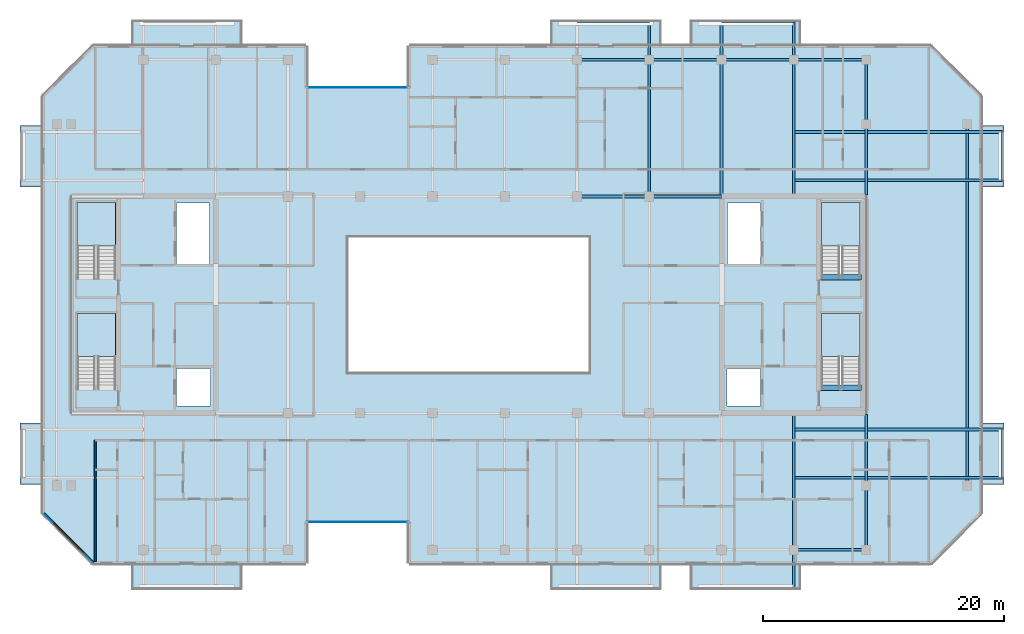
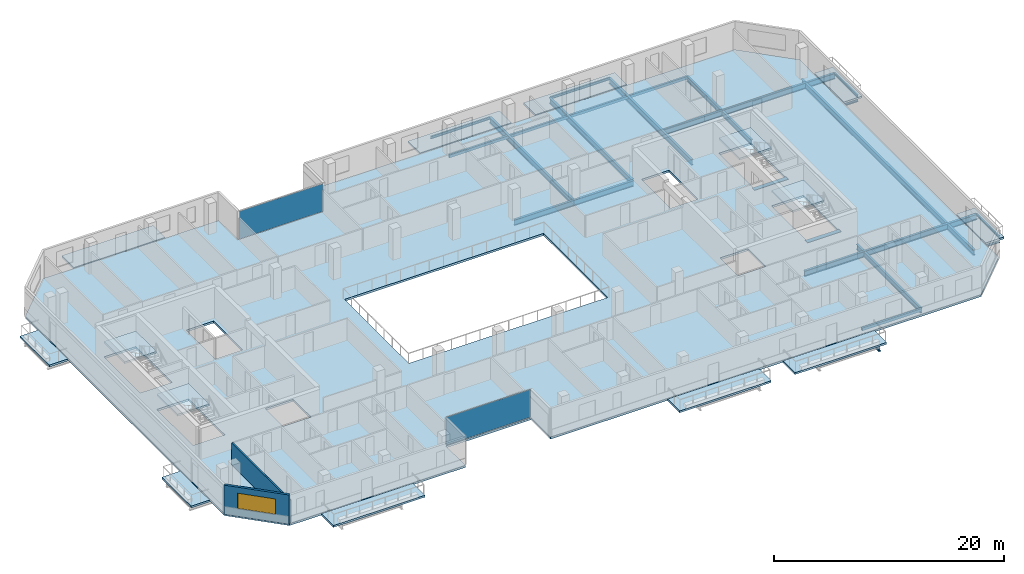
# One storey, part 9 of 20: 24 beams, 15 slabs, 2 plates, 2 walls, 1 window, 1 opening, 6 elements without a shape of their own.
"""IFC4 building model written with IfcOpenShell, lengths in metres."""

from ifc_helpers import new_model, si_unit, direction, frame, frame_2d, origin, origin_2d, place, context, subcontext, project, spatial, polyline, rectangle, hollow_rectangle, i_section, outline, extrude, material, layer, layer_set, material_profile, profile_set, type_object, element, fill, aggregate, save


model = new_model("IFC4")

# Units and contexts
model_context = context("Model", 3, precision=1e-05, world=origin(), true_north=direction((0.0, 1.0)))
body_context = subcontext(model_context, "Body", "Model", "MODEL_VIEW")
ifc_project = project(units=[si_unit("LENGTHUNIT", "METRE"), si_unit("AREAUNIT", "SQUARE_METRE"), si_unit("VOLUMEUNIT", "CUBIC_METRE"), si_unit("PLANEANGLEUNIT", "RADIAN"), si_unit("MASSUNIT", "GRAM", prefix="KILO")], contexts=[model_context])

# Site, building, storey
site_placement = place(None, origin())
site = spatial("IfcSite", under=ifc_project, at=site_placement, CompositionType="ELEMENT")
building_placement = place(site_placement, origin())
building = spatial("IfcBuilding", under=site, at=building_placement, Name="Tanjung Sevakor Pilgrim Tower", CompositionType="ELEMENT")
storey_placement = place(building_placement, frame((0.0, 0.0, 201.6298828125)))
storey = spatial("IfcBuildingStorey", under=building, at=storey_placement, Name="L56", CompositionType="ELEMENT", Elevation=201.6298828125)

# Beams
ifc_material_1 = material(Name="Steel S355J2", Category="steel")
ifc_material_profile_1 = material_profile(ifc_material_1, i_section(OverallWidth=0.22900390625, OverallDepth=0.6123046875, WebThickness=0.011962890625, FlangeThickness=0.01953125, FilletRadius=0.0126953125, at=origin_2d()))
ifc_profile_set_1 = profile_set([ifc_material_profile_1], Name="Steel S355J2")
beam_type_1 = type_object("IfcBeamType", Name="BM-B-G4-UB_610x229x125", PredefinedType="BEAM", material=ifc_profile_set_1)
beam_1_placement = place(storey_placement, frame((98.39990234375, 18.60009765625, -0.52587890625), z_axis=(0.0, 1.0, 0.0), x_axis=(-1.0, 0.0, 0.0)))
element("IfcBeam", 1, at=beam_1_placement, inside=storey, type_object=beam_type_1, Name="L56 Short-End Edge Girder E", PredefinedType="BEAM", context=body_context, shape_type="SweptSolid", body=[
    extrude(i_section(OverallWidth=0.22900390625, OverallDepth=0.6123046875, WebThickness=0.011962890625, FlangeThickness=0.01953125, FilletRadius=0.0126953125, at=origin_2d()), origin(), (0.0, 0.0, 1.0), 30.0),
])
for number, where, z_axis, x_axis, name in (
    (2, (84.0, 19.25, -0.52587890625), (1.0, 0.0, 0.0), (0.0, 1.0, 0.0), "L56 Balcony Overhanging Beam MAIN-E1-1"),
    (3, (84.0, 23.25, -0.52587890625), (1.0, 0.0, 0.0), (0.0, 1.0, 0.0), "L56 Balcony Overhanging Beam MAIN-E1-2"),
    (4, (84.0, 43.949951171875, -0.52587890625), (1.0, 0.0, 0.0), (0.0, 1.0, 0.0), "L56 Balcony Overhanging Beam MAIN-E2-1"),
    (5, (84.0, 47.949951171875, -0.52587890625), (1.0, 0.0, 0.0), (0.0, 1.0, 0.0), "L56 Balcony Overhanging Beam MAIN-E2-2"),
):
    element("IfcBeam", number, at=place(storey_placement, frame(where, z_axis=z_axis, x_axis=x_axis)), inside=storey, type_object=beam_type_1, Name=name, PredefinedType="BEAM", context=body_context, shape_type="SweptSolid", body=[
        extrude(i_section(OverallWidth=0.22900390625, OverallDepth=0.6123046875, WebThickness=0.011962890625, FlangeThickness=0.01953125, FilletRadius=0.0126953125, at=origin_2d()), origin(), (0.0, 0.0, 1.0), 17.330078125),
    ])
for number, where, z_axis, x_axis, name in (
    (6, (66.0, 42.60009765625, -0.52587890625), (1.0, 0.0, 0.0), (0.0, 1.0, 0.0), "L56 Primary Floor Girder MAIN Y426-07"),
    (7, (72.0, 42.60009765625, -0.52587890625), (1.0, 0.0, 0.0), (0.0, 1.0, 0.0), "L56 Primary Floor Girder MAIN Y426-08"),
):
    element("IfcBeam", number, at=place(storey_placement, frame(where, z_axis=z_axis, x_axis=x_axis)), inside=storey, type_object=beam_type_1, Name=name, PredefinedType="BEAM", context=body_context, shape_type="SweptSolid", body=[
        extrude(i_section(OverallWidth=0.22900390625, OverallDepth=0.6123046875, WebThickness=0.011962890625, FlangeThickness=0.01953125, FilletRadius=0.0126953125, at=origin_2d()), origin(), (0.0, 0.0, 1.0), 6.0),
    ])
beam_2_placement = place(storey_placement, frame((72.0, 42.60009765625, -0.52587890625), z_axis=(0.0, 1.0, 0.0), x_axis=(-1.0, 0.0, 0.0)))
element("IfcBeam", 8, at=beam_2_placement, inside=storey, type_object=beam_type_1, Name="L56 Balcony Cantilever Beam MAIN-N2-2", PredefinedType="BEAM", context=body_context, shape_type="SweptSolid", body=[
    extrude(i_section(OverallWidth=0.22900390625, OverallDepth=0.6123046875, WebThickness=0.011962890625, FlangeThickness=0.01953125, FilletRadius=0.0126953125, at=origin_2d()), origin(), (0.0, 0.0, 1.0), 14.52978515625),
])
beam_3_placement = place(storey_placement, frame((78.0, 42.714599609375, -0.52587890625), z_axis=(0.0, 1.0, 0.0), x_axis=(-1.0, 0.0, 0.0)))
element("IfcBeam", 9, at=beam_3_placement, inside=storey, type_object=beam_type_1, Name="L56 Balcony Cantilever Beam MAIN-N3-1", PredefinedType="BEAM", context=body_context, shape_type="SweptSolid", body=[
    extrude(i_section(OverallWidth=0.22900390625, OverallDepth=0.6123046875, WebThickness=0.011962890625, FlangeThickness=0.01953125, FilletRadius=0.0126953125, at=origin_2d()), origin(), (0.0, 0.0, 1.0), 14.415283203125),
])
beam_4_placement = place(storey_placement, frame((84.0, 24.485595703125, -0.52587890625), z_axis=(0.0, -1.0, 0.0), x_axis=(1.0, 0.0, 0.0)))
element("IfcBeam", 10, at=beam_4_placement, inside=storey, type_object=beam_type_1, Name="L56 Balcony Cantilever Beam MAIN-S3-2", PredefinedType="BEAM", context=body_context, shape_type="SweptSolid", body=[
    extrude(i_section(OverallWidth=0.22900390625, OverallDepth=0.6123046875, WebThickness=0.011962890625, FlangeThickness=0.01953125, FilletRadius=0.0126953125, at=origin_2d()), origin(), (0.0, 0.0, 1.0), 14.41552734375),
])
beam_5_placement = place(storey_placement, frame((84.0, 42.714599609375, -0.52587890625), z_axis=(0.0, 1.0, 0.0), x_axis=(-1.0, 0.0, 0.0)))
element("IfcBeam", 11, at=beam_5_placement, inside=storey, type_object=beam_type_1, Name="L56 Balcony Cantilever Beam MAIN-N3-2", PredefinedType="BEAM", context=body_context, shape_type="SweptSolid", body=[
    extrude(i_section(OverallWidth=0.22900390625, OverallDepth=0.6123046875, WebThickness=0.011962890625, FlangeThickness=0.01953125, FilletRadius=0.0126953125, at=origin_2d()), origin(), (0.0, 0.0, 1.0), 14.415283203125),
])
ifc_material_2 = material(Name="Steel S355J2", Category="steel")
ifc_material_profile_2 = material_profile(ifc_material_2, i_section(OverallWidth=0.2119140625, OverallDepth=0.54443359375, WebThickness=0.0126953125, FlangeThickness=0.021240234375, FilletRadius=0.0126953125, at=origin_2d()))
ifc_profile_set_2 = profile_set([ifc_material_profile_2], Name="Steel S355J2")
beam_type_2 = type_object("IfcBeamType", Name="BM-B-G5-UB_533x210x122", PredefinedType="BEAM", material=ifc_profile_set_2)
beam_6_placement = place(storey_placement, frame((90.0, 13.25, -0.4921875), z_axis=(0.0, 1.0, 0.0), x_axis=(-1.0, 0.0, 0.0)))
element("IfcBeam", 12, at=beam_6_placement, inside=storey, type_object=beam_type_2, Name="L56 MAIN Girder 009", PredefinedType="BEAM", context=body_context, shape_type="SweptSolid", body=[
    extrude(i_section(OverallWidth=0.2119140625, OverallDepth=0.54443359375, WebThickness=0.0126953125, FlangeThickness=0.021240234375, FilletRadius=0.0126953125, at=origin_2d()), origin(), (0.0, 0.0, 1.0), 11.235595703125),
])
beam_7_placement = place(storey_placement, frame((90.0, 42.714599609375, -0.4921875), z_axis=(0.0, 1.0, 0.0), x_axis=(-1.0, 0.0, 0.0)))
element("IfcBeam", 13, at=beam_7_placement, inside=storey, type_object=beam_type_2, Name="L56 MAIN Girder 010", PredefinedType="BEAM", context=body_context, shape_type="SweptSolid", body=[
    extrude(i_section(OverallWidth=0.2119140625, OverallDepth=0.54443359375, WebThickness=0.0126953125, FlangeThickness=0.021240234375, FilletRadius=0.0126953125, at=origin_2d()), origin(), (0.0, 0.0, 1.0), 11.2353515625),
])
ifc_material_3 = material(Name="Steel S355J2", Category="steel")
ifc_material_profile_3 = material_profile(ifc_material_3, i_section(OverallWidth=0.146484375, OverallDepth=0.256103515625, WebThickness=0.00634765625, FlangeThickness=0.010986328125, FilletRadius=0.007568359375, at=origin_2d()))
ifc_profile_set_3 = profile_set([ifc_material_profile_3], Name="Steel S355J2")
beam_type_3 = type_object("IfcBeamType", Name="BM-B-J6-UB_254x146x37", PredefinedType="JOIST", material=ifc_profile_set_3)
for number, where, z_axis, x_axis, name in (
    (14, (66.0, 57.1298828125, -0.327880859375), (1.0, 0.0, 0.0), (0.0, 1.0, 0.0), "L56 Balcony Rim Tie MAIN-N2"),
    (15, (78.0, 57.1298828125, -0.327880859375), (1.0, 0.0, 0.0), (0.0, 1.0, 0.0), "L56 Balcony Rim Tie MAIN-N3"),
):
    element("IfcBeam", number, at=place(storey_placement, frame(where, z_axis=z_axis, x_axis=x_axis)), inside=storey, type_object=beam_type_3, Name=name, PredefinedType="JOIST", context=body_context, shape_type="SweptSolid", body=[
        extrude(i_section(OverallWidth=0.146484375, OverallDepth=0.256103515625, WebThickness=0.00634765625, FlangeThickness=0.010986328125, FilletRadius=0.007568359375, at=origin_2d()), origin(), (0.0, 0.0, 1.0), 6.0),
    ])
for number, where, z_axis, x_axis, name in (
    (16, (101.330078125, 19.25, -0.327880859375), (0.0, 1.0, 0.0), (-1.0, 0.0, 0.0), "L56 Balcony Rim Tie MAIN-E1"),
    (17, (101.330078125, 43.949951171875, -0.327880859375), (0.0, 1.0, 0.0), (-1.0, 0.0, 0.0), "L56 Balcony Rim Tie MAIN-E2"),
):
    element("IfcBeam", number, at=place(storey_placement, frame(where, z_axis=z_axis, x_axis=x_axis)), inside=storey, type_object=beam_type_3, Name=name, PredefinedType="JOIST", context=body_context, shape_type="SweptSolid", body=[
        extrude(i_section(OverallWidth=0.146484375, OverallDepth=0.256103515625, WebThickness=0.00634765625, FlangeThickness=0.010986328125, FilletRadius=0.007568359375, at=origin_2d()), origin(), (0.0, 0.0, 1.0), 4.0),
    ])
ifc_material_4 = material(Name="Concrete C60/75", Category="concrete")
ifc_material_profile_4 = material_profile(ifc_material_4, rectangle(XDim=0.449951171875, YDim=0.699951171875, at=origin_2d()))
ifc_profile_set_4 = profile_set([ifc_material_profile_4], Name="Concrete C60/75")
beam_type_4 = type_object("IfcBeamType", Name="BM-B-LN3-RC-BM_450x700", PredefinedType="LINTEL", material=ifc_profile_set_4)
for number, where, z_axis, x_axis, name in (
    (18, (86.199951171875, 26.699951171875, -0.349853515625), (1.0, 0.0, 0.0), (0.0, 1.0, 0.0), "L56 TS-E1 Stair Threshold Beam"),
    (19, (86.199951171875, 35.89990234375, -0.349853515625), (1.0, 0.0, 0.0), (0.0, 1.0, 0.0), "L56 TS-E2 Stair Threshold Beam"),
):
    element("IfcBeam", number, at=place(storey_placement, frame(where, z_axis=z_axis, x_axis=x_axis)), inside=storey, type_object=beam_type_4, Name=name, PredefinedType="LINTEL", context=body_context, shape_type="SweptSolid", body=[
        extrude(rectangle(XDim=0.449951171875, YDim=0.699951171875, at=origin_2d()), origin(), (0.0, 0.0, 1.0), 3.400146484375),
    ])
ifc_material_5 = material(Name="Steel S355J2", Category="steel")
ifc_material_profile_5 = material_profile(ifc_material_5, hollow_rectangle(XDim=0.199951171875, YDim=0.300048828125, WallThickness=0.012451171875, at=origin_2d()))
ifc_profile_set_5 = profile_set([ifc_material_profile_5], Name="Steel S355J2")
beam_type_5 = type_object("IfcBeamType", Name="BM-B-SP3-RHS_300x200x12.5", PredefinedType="SPANDREL", material=ifc_profile_set_5)
for number, where, z_axis, x_axis, name in (
    (20, (66.0, 53.949951171875, -0.369873046875), (1.0, 0.0, 0.0), (0.0, 1.0, 0.0), "L56 Spandrel MAIN N-10"),
    (21, (72.0, 53.949951171875, -0.369873046875), (1.0, 0.0, 0.0), (0.0, 1.0, 0.0), "L56 Spandrel MAIN N-12"),
    (22, (78.0, 53.949951171875, -0.369873046875), (1.0, 0.0, 0.0), (0.0, 1.0, 0.0), "L56 Spandrel MAIN N-14"),
    (23, (84.0, 13.25, -0.369873046875), (1.0, 0.0, 0.0), (0.0, 1.0, 0.0), "L56 Spandrel MAIN S-15"),
    (24, (84.0, 53.949951171875, -0.369873046875), (1.0, 0.0, 0.0), (0.0, 1.0, 0.0), "L56 Spandrel MAIN N-16"),
):
    element("IfcBeam", number, at=place(storey_placement, frame(where, z_axis=z_axis, x_axis=x_axis)), inside=storey, type_object=beam_type_5, Name=name, PredefinedType="SPANDREL", context=body_context, shape_type="SweptSolid", body=[
        extrude(hollow_rectangle(XDim=0.199951171875, YDim=0.300048828125, WallThickness=0.012451171875, at=origin_2d()), origin(), (0.0, 0.0, 1.0), 6.0),
    ])

# Slabs
ifc_material_6 = material(Name="Concrete C40/50", Category="concrete")
ifc_layer_1 = layer(ifc_material_6, 0.199951171875)
ifc_layer_set_1 = layer_set([ifc_layer_1], Name="SL-BAL-200")
slab_type_1 = type_object("IfcSlabType", Name="SL-BAL-200", PredefinedType="FLOOR", material=ifc_layer_set_1)
slab_1_placement = place(storey_placement, frame((0.0, 0.0, -0.199951171875)))
element("IfcSlab", 25, at=slab_1_placement, inside=storey, type_object=slab_type_1, Name="L56 Planted Loggia Balcony MAIN-S1", PredefinedType="FLOOR", context=body_context, shape_type="SweptSolid", body=[
    extrude(outline(polyline([(29.0, 9.949951171875), (38.199951171875, 9.949951171875), (38.199951171875, 12.050048828125), (29.0, 12.050048828125), (29.0, 9.949951171875)])), origin(), (0.0, 0.0, 1.0), 0.199951171875),
])
slab_2_placement = place(storey_placement, frame((0.0, 0.0, -0.199951171875)))
element("IfcSlab", 26, at=slab_2_placement, inside=storey, type_object=slab_type_1, Name="L56 Planted Loggia Balcony MAIN-N1", PredefinedType="FLOOR", context=body_context, shape_type="SweptSolid", body=[
    extrude(outline(polyline([(29.0, 55.14990234375), (38.199951171875, 55.14990234375), (38.199951171875, 57.25), (29.0, 57.25), (29.0, 55.14990234375)])), origin(), (0.0, 0.0, 1.0), 0.199951171875),
])
slab_3_placement = place(storey_placement, frame((0.0, 0.0, -0.199951171875)))
element("IfcSlab", 27, at=slab_3_placement, inside=storey, type_object=slab_type_1, Name="L56 Planted Loggia Balcony MAIN-S2", PredefinedType="FLOOR", context=body_context, shape_type="SweptSolid", body=[
    extrude(outline(polyline([(63.800048828125, 9.949951171875), (73.0, 9.949951171875), (73.0, 12.050048828125), (63.800048828125, 12.050048828125), (63.800048828125, 9.949951171875)])), origin(), (0.0, 0.0, 1.0), 0.199951171875),
])
slab_4_placement = place(storey_placement, frame((0.0, 0.0, -0.199951171875)))
element("IfcSlab", 28, at=slab_4_placement, inside=storey, type_object=slab_type_1, Name="L56 Planted Loggia Balcony MAIN-N2", PredefinedType="FLOOR", context=body_context, shape_type="SweptSolid", body=[
    extrude(outline(polyline([(63.800048828125, 55.14990234375), (73.0, 55.14990234375), (73.0, 57.25), (63.800048828125, 57.25), (63.800048828125, 55.14990234375)])), origin(), (0.0, 0.0, 1.0), 0.199951171875),
])
slab_5_placement = place(storey_placement, frame((0.0, 0.0, -0.199951171875)))
element("IfcSlab", 29, at=slab_5_placement, inside=storey, type_object=slab_type_1, Name="L56 Planted Loggia Balcony MAIN-S3", PredefinedType="FLOOR", context=body_context, shape_type="SweptSolid", body=[
    extrude(outline(polyline([(75.39990234375, 9.949951171875), (84.60009765625, 9.949951171875), (84.60009765625, 12.050048828125), (75.39990234375, 12.050048828125), (75.39990234375, 9.949951171875)])), origin(), (0.0, 0.0, 1.0), 0.199951171875),
])
slab_6_placement = place(storey_placement, frame((0.0, 0.0, -0.199951171875)))
element("IfcSlab", 30, at=slab_6_placement, inside=storey, type_object=slab_type_1, Name="L56 Planted Loggia Balcony MAIN-N3", PredefinedType="FLOOR", context=body_context, shape_type="SweptSolid", body=[
    extrude(outline(polyline([(75.39990234375, 55.14990234375), (84.60009765625, 55.14990234375), (84.60009765625, 57.25), (75.39990234375, 57.25), (75.39990234375, 55.14990234375)])), origin(), (0.0, 0.0, 1.0), 0.199951171875),
])
slab_7_placement = place(storey_placement, frame((0.0, 0.0, -0.199951171875)))
element("IfcSlab", 31, at=slab_7_placement, inside=storey, type_object=slab_type_1, Name="L56 Planted Loggia Balcony MAIN-W1", PredefinedType="FLOOR", context=body_context, shape_type="SweptSolid", body=[
    extrude(outline(polyline([(19.75, 18.699951171875), (21.60009765625, 18.699951171875), (21.60009765625, 23.800048828125), (19.75, 23.800048828125), (19.75, 18.699951171875)])), origin(), (0.0, 0.0, 1.0), 0.199951171875),
])
slab_8_placement = place(storey_placement, frame((0.0, 0.0, -0.199951171875)))
element("IfcSlab", 32, at=slab_8_placement, inside=storey, type_object=slab_type_1, Name="L56 Planted Loggia Balcony MAIN-E1", PredefinedType="FLOOR", context=body_context, shape_type="SweptSolid", body=[
    extrude(outline(polyline([(99.60009765625, 18.699951171875), (101.449951171875, 18.699951171875), (101.449951171875, 23.800048828125), (99.60009765625, 23.800048828125), (99.60009765625, 18.699951171875)])), origin(), (0.0, 0.0, 1.0), 0.199951171875),
])
slab_9_placement = place(storey_placement, frame((0.0, 0.0, -0.199951171875)))
element("IfcSlab", 33, at=slab_9_placement, inside=storey, type_object=slab_type_1, Name="L56 Planted Loggia Balcony MAIN-W2", PredefinedType="FLOOR", context=body_context, shape_type="SweptSolid", body=[
    extrude(outline(polyline([(19.75, 43.39990234375), (21.60009765625, 43.39990234375), (21.60009765625, 48.5), (19.75, 48.5), (19.75, 43.39990234375)])), origin(), (0.0, 0.0, 1.0), 0.199951171875),
])
slab_10_placement = place(storey_placement, frame((0.0, 0.0, -0.199951171875)))
element("IfcSlab", 34, at=slab_10_placement, inside=storey, type_object=slab_type_1, Name="L56 Planted Loggia Balcony MAIN-E2", PredefinedType="FLOOR", context=body_context, shape_type="SweptSolid", body=[
    extrude(outline(polyline([(99.60009765625, 43.39990234375), (101.449951171875, 43.39990234375), (101.449951171875, 48.5), (99.60009765625, 48.5), (99.60009765625, 43.39990234375)])), origin(), (0.0, 0.0, 1.0), 0.199951171875),
])

# Stair, slab
ifc_material_7 = material(Name="Concrete C40/50", Category="concrete")
stair_type = type_object("IfcStairType", Name="STAIR-ST-CR150", PredefinedType="HALF_TURN_STAIR", material=ifc_material_7)
stair_1_placement = place(storey_placement, origin())
stair_1 = element("IfcStair", 35, at=stair_1_placement, inside=storey, type_object=stair_type, Name="L56 West Core Exit Stair 1", PredefinedType="HALF_TURN_STAIR")
ifc_material_8 = material(Name="Concrete C40/50", Category="concrete")
ifc_layer_2 = layer(ifc_material_8, 0.199951171875)
ifc_layer_set_2 = layer_set([ifc_layer_2], Name="SL-LAND-200")
slab_type_2 = type_object("IfcSlabType", Name="SL-LAND-200", PredefinedType="LANDING", material=ifc_layer_set_2)
slab_11_placement = place(storey_placement, frame((0.0, 0.0, 1.4501953125)))
slab_11 = element("IfcSlab", 36, at=slab_11_placement, type_object=slab_type_2, Name="TS-W1 landing 1", PredefinedType="LANDING", context=body_context, shape_type="SweptSolid", body=[
    extrude(outline(polyline([(27.699951171875, 29.300048828125), (27.699951171875, 32.89990234375), (24.5, 32.89990234375), (24.5, 29.300048828125), (27.699951171875, 29.300048828125)])), origin(), (0.0, 0.0, 1.0), 0.199951171875),
])
aggregate(stair_1, [slab_11])

stair_2_placement = place(storey_placement, origin())
stair_2 = element("IfcStair", 37, at=stair_2_placement, inside=storey, type_object=stair_type, Name="L56 West Core Exit Stair 2", PredefinedType="HALF_TURN_STAIR")
slab_12_placement = place(storey_placement, frame((0.0, 0.0, 1.4501953125)))
slab_12 = element("IfcSlab", 38, at=slab_12_placement, type_object=slab_type_2, Name="TS-W2 landing 1", PredefinedType="LANDING", context=body_context, shape_type="SweptSolid", body=[
    extrude(outline(polyline([(27.699951171875, 38.5), (27.699951171875, 42.10009765625), (24.5, 42.10009765625), (24.5, 38.5), (27.699951171875, 38.5)])), origin(), (0.0, 0.0, 1.0), 0.199951171875),
])
aggregate(stair_2, [slab_12])

stair_3_placement = place(storey_placement, origin())
stair_3 = element("IfcStair", 39, at=stair_3_placement, inside=storey, type_object=stair_type, Name="L56 East Core Exit Stair 1", PredefinedType="HALF_TURN_STAIR")
slab_13_placement = place(storey_placement, frame((0.0, 0.0, 1.4501953125)))
slab_13 = element("IfcSlab", 40, at=slab_13_placement, type_object=slab_type_2, Name="TS-E1 landing 1", PredefinedType="LANDING", context=body_context, shape_type="SweptSolid", body=[
    extrude(outline(polyline([(89.5, 29.300048828125), (89.5, 32.89990234375), (86.300048828125, 32.89990234375), (86.300048828125, 29.300048828125), (89.5, 29.300048828125)])), origin(), (0.0, 0.0, 1.0), 0.199951171875),
])
aggregate(stair_3, [slab_13])

stair_4_placement = place(storey_placement, origin())
stair_4 = element("IfcStair", 41, at=stair_4_placement, inside=storey, type_object=stair_type, Name="L56 East Core Exit Stair 2", PredefinedType="HALF_TURN_STAIR")
slab_14_placement = place(storey_placement, frame((0.0, 0.0, 1.4501953125)))
slab_14 = element("IfcSlab", 42, at=slab_14_placement, type_object=slab_type_2, Name="TS-E2 landing 1", PredefinedType="LANDING", context=body_context, shape_type="SweptSolid", body=[
    extrude(outline(polyline([(89.5, 38.5), (89.5, 42.10009765625), (86.300048828125, 42.10009765625), (86.300048828125, 38.5), (89.5, 38.5)])), origin(), (0.0, 0.0, 1.0), 0.199951171875),
])
aggregate(stair_4, [slab_14])

# Slab
ifc_material_9 = material(Name="Concrete C40/50", Category="concrete")
ifc_layer_3 = layer(ifc_material_9, 0.219970703125)
ifc_layer_set_3 = layer_set([ifc_layer_3], Name="SL-TWR-220")
slab_type_3 = type_object("IfcSlabType", Name="SL-TWR-220", PredefinedType="FLOOR", material=ifc_layer_set_3)
slab_15_placement = place(storey_placement, frame((0.0, 0.0, -0.219970703125)))
element("IfcSlab", 43, at=slab_15_placement, inside=storey, type_object=slab_type_3, Name="L56 Floor Slab MAIN", PredefinedType="FLOOR", context=body_context, shape_type="SweptSolid", body=[
    extrude(outline(polyline([(25.846923828125, 12.1298828125), (43.52001953125, 12.1298828125), (43.52001953125, 15.530029296875), (52.080078125, 15.530029296875), (52.080078125, 12.1298828125), (95.35302734375, 12.1298828125), (99.52001953125, 16.296875), (99.52001953125, 50.903076171875), (95.35302734375, 55.070068359375), (52.080078125, 55.070068359375), (52.080078125, 51.669921875), (43.52001953125, 51.669921875), (43.52001953125, 55.070068359375), (25.846923828125, 55.070068359375), (21.679931640625, 50.903076171875), (21.679931640625, 16.296875), (25.846923828125, 12.1298828125)]), holes=[polyline([(27.699951171875, 26.60009765625), (27.699951171875, 32.89990234375), (24.5, 32.89990234375), (24.5, 26.60009765625), (27.699951171875, 26.60009765625)]), polyline([(27.699951171875, 35.800048828125), (27.699951171875, 42.10009765625), (24.5, 42.10009765625), (24.5, 35.800048828125), (27.699951171875, 35.800048828125)]), polyline([(89.5, 26.60009765625), (89.5, 32.89990234375), (86.300048828125, 32.89990234375), (86.300048828125, 26.60009765625), (89.5, 26.60009765625)]), polyline([(89.5, 35.800048828125), (89.5, 42.10009765625), (86.300048828125, 42.10009765625), (86.300048828125, 35.800048828125), (89.5, 35.800048828125)]), polyline([(32.75, 25.199951171875), (35.550048828125, 25.199951171875), (35.550048828125, 28.300048828125), (32.75, 28.300048828125), (32.75, 25.199951171875)]), polyline([(32.75, 37.0), (35.5, 37.0), (35.5, 42.050048828125), (32.75, 42.050048828125), (32.75, 37.0)]), polyline([(78.449951171875, 25.199951171875), (81.25, 25.199951171875), (81.25, 28.300048828125), (78.449951171875, 28.300048828125), (78.449951171875, 25.199951171875)]), polyline([(78.5, 37.0), (81.25, 37.0), (81.25, 42.050048828125), (78.5, 42.050048828125), (78.5, 37.0)]), polyline([(47.0, 28.0), (67.0, 28.0), (67.0, 39.199951171875), (47.0, 39.199951171875), (47.0, 28.0)])]), origin(), (0.0, 0.0, 1.0), 0.219970703125),
])

# Curtain wall, plate
ifc_material_10 = material(Name="Aluminium 6063-T6 and Low-E Glass", Category="aluminium")
ifc_layer_4 = layer(ifc_material_10, 0.179931640625)
ifc_layer_set_4 = layer_set([ifc_layer_4], Name="CW-SYS-CLEFT")
curtain_wall_type = type_object("IfcCurtainWallType", Name="CW-SYS-CLEFT", PredefinedType="NOTDEFINED", material=ifc_layer_set_4)
curtain_wall_1_placement = place(storey_placement, origin())
curtain_wall_1 = element("IfcCurtainWall", 44, at=curtain_wall_1_placement, inside=storey, type_object=curtain_wall_type, Name="L56 Curtain Wall CW-CLF-L56-2", PredefinedType="NOTDEFINED")
ifc_material_11 = material(Name="Laminated Low-E Double Glazing", Category="glass")
ifc_layer_5 = layer(ifc_material_11, 0.028076171875)
ifc_layer_set_5 = layer_set([ifc_layer_5], Name="TYPE-CWP-GLZ1")
plate_type = type_object("IfcPlateType", Name="TYPE-CWP-GLZ1", PredefinedType="CURTAIN_PANEL", material=ifc_layer_set_5)
plate_1_placement = place(storey_placement, frame((47.800048828125, 15.56005859375, 0.06494140625), z_axis=(0.0, 0.0, 1.0), x_axis=(1.0, 0.0, 0.0)))
plate_1 = element("IfcPlate", 45, at=plate_1_placement, type_object=plate_type, Name="CW-CLF panel 1.1", PredefinedType="CURTAIN_PANEL", context=body_context, shape_type="SweptSolid", body=[
    extrude(rectangle(XDim=8.469970703125, YDim=0.028076171875, at=origin_2d()), origin(), (0.0, 0.0, 1.0), 2.949951171875),
])
aggregate(curtain_wall_1, [plate_1])

curtain_wall_2_placement = place(storey_placement, origin())
curtain_wall_2 = element("IfcCurtainWall", 46, at=curtain_wall_2_placement, inside=storey, type_object=curtain_wall_type, Name="L56 Curtain Wall CW-CLF-L56-10", PredefinedType="NOTDEFINED")
plate_2_placement = place(storey_placement, frame((47.800048828125, 51.639892578125, 0.06494140625), z_axis=(0.0, 0.0, 1.0), x_axis=(-1.0, 0.0, 0.0)))
plate_2 = element("IfcPlate", 47, at=plate_2_placement, type_object=plate_type, Name="CW-CLF panel 1.1", PredefinedType="CURTAIN_PANEL", context=body_context, shape_type="SweptSolid", body=[
    extrude(rectangle(XDim=8.469970703125, YDim=0.028076171875, at=origin_2d()), origin(), (0.0, 0.0, 1.0), 2.949951171875),
])
aggregate(curtain_wall_2, [plate_2])

# Wall
ifc_material_12 = material(Name="Concrete C40/50", Category="concrete")
ifc_layer_6 = layer(ifc_material_12, 0.14990234375)
ifc_layer_set_6 = layer_set([ifc_layer_6], Name="WT-COMP-150")
wall_type_1 = type_object("IfcWallType", Name="WT-COMP-150", PredefinedType="SOLIDWALL", material=ifc_layer_set_6)
wall_1_placement = place(storey_placement, frame((26.0, 12.27001953125, 0.0), z_axis=(0.0, 0.0, 1.0), x_axis=(0.0, 1.0, 0.0)))
element("IfcWall", 48, at=wall_1_placement, inside=storey, type_object=wall_type_1, Name="L56 Partition IW-L56-037", PredefinedType="SOLIDWALL", context=body_context, shape_type="SweptSolid", body=[
    extrude(rectangle(XDim=10.080078125, YDim=0.14990234375, at=frame_2d((5.0400390625, 0.0))), origin(), (0.0, 0.0, 1.0), 2.35009765625),
])

# Wall, opening, window
ifc_material_13 = material(Name="Precast concrete C45/55", Category="concrete")
ifc_layer_7 = layer(ifc_material_13, 0.219970703125)
ifc_layer_set_7 = layer_set([ifc_layer_7], Name="WT-EW-STN4")
wall_type_2 = type_object("IfcWallType", Name="WT-EW-STN4", PredefinedType="SOLIDWALL", material=ifc_layer_set_7)
wall_2_placement = place(storey_placement, frame((21.7099609375, 16.295654296875, 0.0), z_axis=(0.0, 0.0, 1.0), x_axis=(0.707106781187, -0.707106781187, 0.0)))
wall_2 = element("IfcWall", 49, at=wall_2_placement, inside=storey, type_object=wall_type_2, Name="L56 MAIN Sculpted Corner Wall 15", PredefinedType="SOLIDWALL", context=body_context, shape_type="SweptSolid", body=[
    extrude(rectangle(XDim=5.848876953125, YDim=0.219970703125, at=frame_2d((2.92431640625, 0.0))), origin(), (0.0, 0.0, 1.0), 3.080078125),
])
opening_placement = place(wall_2_placement, frame((1.224365234375, 0.0, 0.780029296875)))
opening = element("IfcOpeningElement", 50, at=opening_placement, cuts=wall_2, Name="Opening WN-CHM-1660", PredefinedType="OPENING", context=body_context, shape_type="SweptSolid", body=[
    extrude(rectangle(XDim=3.39990234375, YDim=1.659912109375, at=frame_2d((1.699951171875, 0.830078125))), frame((0.0, 0.119873046875, 0.0), z_axis=(0.0, -1.0, 0.0), x_axis=(1.0, 0.0, 0.0)), (0.0, 0.0, 1.0), 0.239990234375),
])
ifc_material_14 = material(Name="Thermally Broken Aluminium and Low-E Glass", Category="aluminium")
window_type = type_object("IfcWindowType", Name="WTYP-WN-CHM-1660", PartitioningType="DOUBLE_PANEL_VERTICAL", PredefinedType="WINDOW", material=ifc_material_14)
window_placement = place(opening_placement, origin())
window = element("IfcWindow", 51, at=window_placement, inside=storey, type_object=window_type, Name="L56 Facade Window 01", OverallHeight=1.659912109375, OverallWidth=3.39990234375, PartitioningType="SINGLE_PANEL", PredefinedType="WINDOW", context=body_context, shape_type="SweptSolid", body=[
    extrude(rectangle(XDim=3.39990234375, YDim=1.659912109375, at=frame_2d((1.699951171875, 0.830078125))), frame((0.0, 0.030029296875, 0.0), z_axis=(0.0, -1.0, 0.0), x_axis=(1.0, 0.0, 0.0)), (0.0, 0.0, 1.0), 0.06005859375),
])
fill(opening, window)

save(model, "model.ifc")
